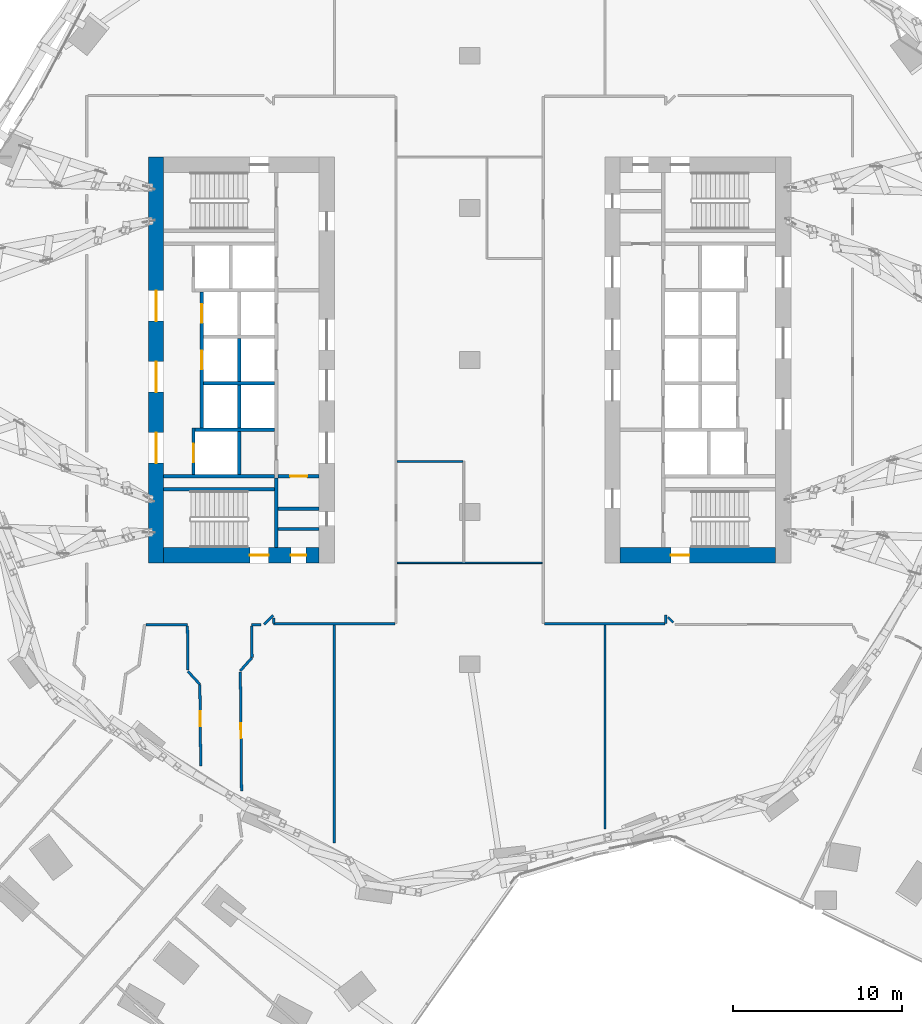
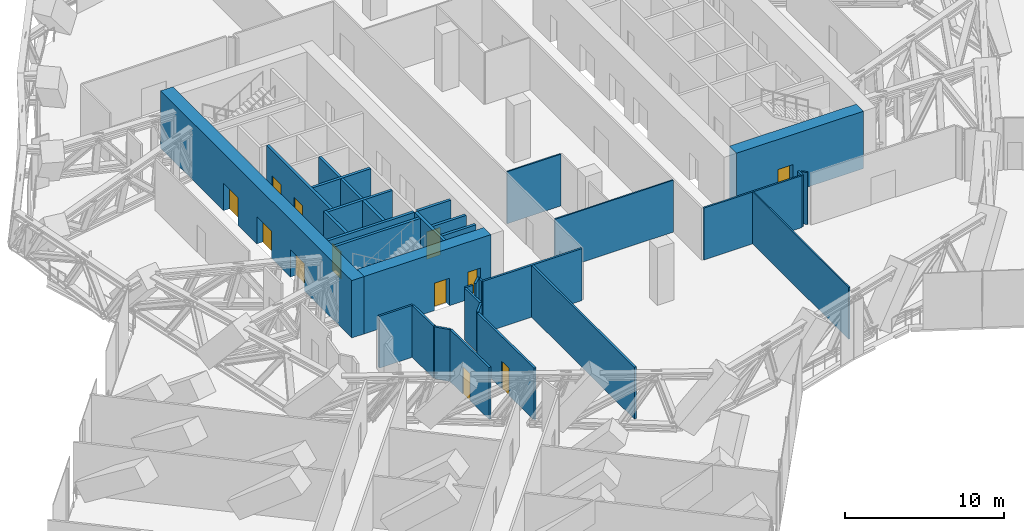
# One storey, part 25 of 34: 34 walls, 12 doors, 12 openings.
"""IFC4 building model written with IfcOpenShell, lengths in metres."""

import ifcopenshell
import ifcopenshell.guid

model = None  # the IFC model being written
_history = None  # IfcOwnerHistory: only IFC2X3 demands one
_inside = {}  # id of a spatial element -> (the spatial element, [elements in it])
_under = {}  # id of a project, library or spatial element -> (it, [spatial elements below it])
_declared = {}  # id of a project -> (the project, [libraries it declares])
_typed = {}  # id of a type object -> (the type object, [elements of that type])
_made_of = {}  # id of a material, layer set ... -> (it, [elements and type objects made of it])


def new_model(schema):
    """Start an empty IFC model of exactly this schema.

    Asked for "IFC4X3", IfcOpenShell would pick the latest addendum, in which some entities
    have other attributes; the version numbers below select the first issue.
    IFC2X3 requires an IfcOwnerHistory on every rooted entity: one is made here for all.
    """
    global model, _history
    if schema == "IFC4X3":
        model = ifcopenshell.file(schema_version=(4, 3, 0, 0))
    else:
        model = ifcopenshell.file(schema=schema)
    _inside.clear()
    _under.clear()
    _declared.clear()
    _typed.clear()
    _made_of.clear()
    _history = None
    if model.schema == "IFC2X3":
        org = make("IfcOrganization", Name="unknown")
        user = make(
            "IfcPersonAndOrganization",
            ThePerson=make("IfcPerson", FamilyName="unknown"),
            TheOrganization=org,
        )
        app = make(
            "IfcApplication",
            ApplicationDeveloper=org,
            Version="unknown",
            ApplicationFullName="unknown",
            ApplicationIdentifier="unknown",
        )
        _history = make(
            "IfcOwnerHistory",
            OwningUser=user,
            OwningApplication=app,
            ChangeAction="ADDED",
            CreationDate=0,
        )
    return model


def make(cls, **values):
    """One entity of the class cls with the attributes given. An attribute that is None is left unset."""
    return model.create_entity(
        cls, **{name: value for name, value in values.items() if value is not None}
    )


def rooted(cls, **values):
    """An entity with a GlobalId (a new one), such as an element, a storey or a relation."""
    return make(cls, GlobalId=ifcopenshell.guid.new(), OwnerHistory=_history, **values)


def si_unit(unit_type, name, prefix=None):
    """IfcSIUnit, for example si_unit("LENGTHUNIT", "METRE", prefix="MILLI")."""
    return make("IfcSIUnit", UnitType=unit_type, Prefix=prefix, Name=name)


def assignment(units):
    """IfcUnitAssignment: the units of a project."""
    return None if units is None else make("IfcUnitAssignment", Units=units)


def point(xyz):
    """IfcCartesianPoint."""
    return None if xyz is None else make("IfcCartesianPoint", Coordinates=xyz)


def direction(xyz):
    """IfcDirection."""
    return None if xyz is None else make("IfcDirection", DirectionRatios=xyz)


def frame(location, z_axis=None, x_axis=None):
    """IfcAxis2Placement3D, a coordinate frame: its origin and axes. An axis left out is left unset."""
    return make(
        "IfcAxis2Placement3D",
        Location=point(location),
        Axis=direction(z_axis),
        RefDirection=direction(x_axis),
    )


def frame_2d(location, x_axis=None):
    """IfcAxis2Placement2D, a coordinate frame in the plane: its origin and x axis."""
    return make(
        "IfcAxis2Placement2D", Location=point(location), RefDirection=direction(x_axis)
    )


def origin():
    """The frame at (0, 0, 0) with its axes left unset."""
    return frame((0.0, 0.0, 0.0))


def place(relative_to, where):
    """IfcLocalPlacement: puts the frame where relative to a parent placement (None: the world)."""
    return make(
        "IfcLocalPlacement", PlacementRelTo=relative_to, RelativePlacement=where
    )


def context(
    kind, dimensions, precision=None, world=None, true_north=None, identifier=None
):
    """IfcGeometricRepresentationContext, for example the 3D "Model" context."""
    return make(
        "IfcGeometricRepresentationContext",
        ContextIdentifier=identifier,
        ContextType=kind,
        CoordinateSpaceDimension=dimensions,
        Precision=precision,
        WorldCoordinateSystem=world,
        TrueNorth=true_north,
    )


def subcontext(parent, identifier, kind, view, scale=None):
    """IfcGeometricRepresentationSubContext, for example "Body" below "Model"."""
    return make(
        "IfcGeometricRepresentationSubContext",
        ContextIdentifier=identifier,
        ContextType=kind,
        ParentContext=parent,
        TargetScale=scale,
        TargetView=view,
    )


def project(units=None, contexts=None):
    """IfcProject with its units and contexts."""
    return rooted(
        "IfcProject",
        Name="project",
        RepresentationContexts=contexts,
        UnitsInContext=assignment(units),
    )


def spatial(cls, under=None, at=None, **own):
    """A site, building, storey or space (cls), placed at a placement, below another one or the project."""
    s = rooted(cls, ObjectPlacement=at, **own)
    if under is not None:
        _under.setdefault(under.id(), (under, []))[1].append(s)
    return s


def profile(cls, at=None, kind="AREA", **sizes):
    """A parametric profile (cls). Its sizes go by their IFC names, for example OverallWidth=200.0."""
    return make(cls, ProfileType=kind, Position=at, **sizes)


def rectangle(**sizes):
    """IfcRectangleProfileDef."""
    return profile("IfcRectangleProfileDef", **sizes)


def extrude(swept, where, along, depth):
    """IfcExtrudedAreaSolid: the profile swept, set in the frame where, extruded along a direction by depth."""
    return make(
        "IfcExtrudedAreaSolid",
        SweptArea=swept,
        Position=where,
        ExtrudedDirection=direction(along),
        Depth=depth,
    )


def shape(context_of_items, identifier, shape_type, items):
    """IfcShapeRepresentation: the items that make up one representation, for example the "Body"."""
    return make(
        "IfcShapeRepresentation",
        ContextOfItems=context_of_items,
        RepresentationIdentifier=identifier,
        RepresentationType=shape_type,
        Items=items,
    )


def material(Name=None, Category=None):
    """IfcMaterial."""
    return make("IfcMaterial", Name=Name, Category=Category)


def layer(
    of_material, thickness, ventilated=None, Name=None, Category=None, Priority=None
):
    """IfcMaterialLayer: one layer of a wall or slab, of a material (None: an air gap)."""
    return make(
        "IfcMaterialLayer",
        Material=of_material,
        LayerThickness=thickness,
        IsVentilated=ventilated,
        Name=Name,
        Category=Category,
        Priority=Priority,
    )


def layer_set(layers, Name=None):
    """IfcMaterialLayerSet."""
    return make("IfcMaterialLayerSet", MaterialLayers=layers, LayerSetName=Name)


def made_of(thing, what):
    """Note that an element or type object is made of a material, layer set ...; save() writes the relation."""
    if what is not None:
        _made_of.setdefault(what.id(), (what, []))[1].append(thing)
    return thing


def type_object(cls, material=None, **own):
    """A type object (cls), such as IfcWallType, which elements share."""
    return made_of(rooted(cls, **own), material)


def element(
    cls,
    number,
    at=None,
    inside=None,
    cuts=None,
    type_object=None,
    material=None,
    context=None,
    identifier="Body",
    shape_type=None,
    held_by="IfcProductDefinitionShape",
    body=None,
    shapes=None,
    **own,
):
    """One element of the class cls, such as IfcWall. Its Tag is "e" and its number.

    at: its placement. inside: the storey or other place that contains it. cuts: it is an
    opening in that element (IfcRelVoidsElement). A single representation is given by context,
    identifier, shape_type and body (its items); several are given by shapes. held_by: the class
    of the entity that holds the representations. save() writes the other relations.
    """
    e = rooted(cls, Tag="e%d" % number, ObjectPlacement=at, **own)
    if body is not None:
        shapes = [shape(context, identifier, shape_type, body)]
    if shapes is not None:
        e.Representation = make(held_by, Representations=shapes)
    if inside is not None:
        _inside.setdefault(inside.id(), (inside, []))[1].append(e)
    if cuts is not None:
        rooted(
            "IfcRelVoidsElement", RelatingBuildingElement=cuts, RelatedOpeningElement=e
        )
    if type_object is not None:
        _typed.setdefault(type_object.id(), (type_object, []))[1].append(e)
    return made_of(e, material)


def fill(opening, filler):
    """IfcRelFillsElement: the door or window that sits in an opening."""
    return rooted(
        "IfcRelFillsElement",
        RelatingOpeningElement=opening,
        RelatedBuildingElement=filler,
    )


def aggregate(whole, parts):
    """IfcRelAggregates: a whole, such as a stair, and the parts it consists of."""
    return rooted("IfcRelAggregates", RelatingObject=whole, RelatedObjects=parts)


def save(model, path):
    """Write the relations noted so far, then the file.

    IfcRelAggregates (storeys below a building ...), IfcRelContainedInSpatialStructure (elements
    in a storey), IfcRelDefinesByType, IfcRelAssociatesMaterial and IfcRelDeclares: one each for
    every whole, place, type object, material and project.
    """
    for whole, parts in _under.values():
        aggregate(whole, parts)
    for where, things in _inside.values():
        rooted(
            "IfcRelContainedInSpatialStructure",
            RelatedElements=things,
            RelatingStructure=where,
        )
    for kind, things in _typed.values():
        rooted("IfcRelDefinesByType", RelatedObjects=things, RelatingType=kind)
    for what, things in _made_of.values():
        rooted("IfcRelAssociatesMaterial", RelatedObjects=things, RelatingMaterial=what)
    for by, libraries in _declared.values():
        rooted("IfcRelDeclares", RelatingContext=by, RelatedDefinitions=libraries)
    model.write(path)


model = new_model("IFC4")

# Units and contexts
model_context = context("Model", 3, precision=1e-05, world=origin(), true_north=direction((0.0, 1.0)))
body_context = subcontext(model_context, "Body", "Model", "MODEL_VIEW")
ifc_project = project(units=[si_unit("LENGTHUNIT", "METRE"), si_unit("AREAUNIT", "SQUARE_METRE"), si_unit("VOLUMEUNIT", "CUBIC_METRE"), si_unit("PLANEANGLEUNIT", "RADIAN"), si_unit("MASSUNIT", "GRAM", prefix="KILO")], contexts=[model_context])

# Site, building, storey
site_placement = place(None, origin())
site = spatial("IfcSite", under=ifc_project, at=site_placement, CompositionType="ELEMENT")
building_placement = place(site_placement, origin())
building = spatial("IfcBuilding", under=site, at=building_placement, Name="Orlundy Tower", CompositionType="ELEMENT")
storey_placement = place(building_placement, frame((0.0, 0.0, 76.300048828125)))
storey = spatial("IfcBuildingStorey", under=building, at=storey_placement, Name="L18", CompositionType="ELEMENT", Elevation=76.300048828125)

# Wall, openings, doors
ifc_material_1 = material(Name="Concrete C80/95", Category="concrete")
ifc_layer_1 = layer(ifc_material_1, 0.89990234375)
ifc_layer_set_1 = layer_set([ifc_layer_1], Name="CORE WALL 900 C80/95")
wall_type_1 = type_object("IfcWallType", Name="CORE WALL 900 C80/95", PredefinedType="SHEAR", material=ifc_layer_set_1)
wall_1_placement = place(storey_placement, frame((-18.10009765625, -11.550048828125, 0.0), z_axis=(0.0, 0.0, 1.0), x_axis=(1.0, 0.0, 0.0)))
wall_1 = element("IfcWall", 1, at=wall_1_placement, inside=storey, type_object=wall_type_1, Name="Core wall W-S L18", PredefinedType="SHEAR", context=body_context, shape_type="SweptSolid", body=[
    extrude(rectangle(XDim=9.2001953125, YDim=0.89990234375, at=frame_2d((4.60009765625, 0.0))), origin(), (0.0, 0.0, 1.0), 4.39990234375),
])
opening_1_placement = place(wall_1_placement, frame((5.10009765625, 0.0, 0.0)))
opening_1 = element("IfcOpeningElement", 2, at=opening_1_placement, cuts=wall_1, Name="Opening 15017", PredefinedType="OPENING", context=body_context, shape_type="SweptSolid", body=[
    extrude(rectangle(XDim=1.10009765625, YDim=2.10009765625, at=frame_2d((0.550048828125, 1.050048828125))), frame((0.0, 0.4599609375, 0.0), z_axis=(0.0, -1.0, 0.0), x_axis=(1.0, 0.0, 0.0)), (0.0, 0.0, 1.0), 0.919921875),
])
opening_2_placement = place(wall_1_placement, frame((7.530029296875, 0.0, 0.0)))
opening_2 = element("IfcOpeningElement", 3, at=opening_2_placement, cuts=wall_1, Name="Opening 15019", PredefinedType="OPENING", context=body_context, shape_type="SweptSolid", body=[
    extrude(rectangle(XDim=0.89990234375, YDim=2.10009765625, at=frame_2d((0.449951171875, 1.050048828125))), frame((0.0, 0.4599609375, 0.0), z_axis=(0.0, -1.0, 0.0), x_axis=(1.0, 0.0, 0.0)), (0.0, 0.0, 1.0), 0.919921875),
])
ifc_material_2 = material(Name="Timber door set", Category="wood")
door_type_1 = type_object("IfcDoorType", Name="Room Door 900x2100", OperationType="SINGLE_SWING_LEFT", PredefinedType="DOOR", material=ifc_material_2)
door_1_placement = place(opening_2_placement, origin())
door_1 = element("IfcDoor", 4, at=door_1_placement, inside=storey, type_object=door_type_1, Name="Store door 15019", OperationType="SINGLE_SWING_RIGHT", OverallHeight=2.10009765625, OverallWidth=0.89990234375, PredefinedType="DOOR", context=body_context, shape_type="SweptSolid", body=[
    extrude(rectangle(XDim=0.89990234375, YDim=2.10009765625, at=frame_2d((0.449951171875, 1.050048828125))), frame((0.0, 0.02490234375, 0.0), z_axis=(0.0, -1.0, 0.0), x_axis=(1.0, 0.0, 0.0)), (0.0, 0.0, 1.0), 0.050048828125),
])
fill(opening_2, door_1)
ifc_material_3 = material(Name="Steel door set", Category="steel")
door_type_2 = type_object("IfcDoorType", Name="Stair Door 1100x2100", OperationType="SINGLE_SWING_LEFT", PredefinedType="DOOR", material=ifc_material_3)
door_2_placement = place(opening_1_placement, origin())
door_2 = element("IfcDoor", 5, at=door_2_placement, inside=storey, type_object=door_type_2, Name="Stair door 15017", OperationType="SINGLE_SWING_RIGHT", OverallHeight=2.10009765625, OverallWidth=1.10009765625, PredefinedType="DOOR", context=body_context, shape_type="SweptSolid", body=[
    extrude(rectangle(XDim=1.10009765625, YDim=2.10009765625, at=frame_2d((0.550048828125, 1.050048828125))), frame((0.0, 0.02490234375, 0.0), z_axis=(0.0, -1.0, 0.0), x_axis=(1.0, 0.0, 0.0)), (0.0, 0.0, 1.0), 0.050048828125),
])
fill(opening_1, door_2)

wall_2_placement = place(storey_placement, frame((-18.550048828125, -12.0, 0.0), z_axis=(0.0, 0.0, 1.0), x_axis=(0.0, 1.0, 0.0)))
wall_2 = element("IfcWall", 6, at=wall_2_placement, inside=storey, type_object=wall_type_1, Name="Core wall W-W L18", PredefinedType="SHEAR", context=body_context, shape_type="SweptSolid", body=[
    extrude(rectangle(XDim=24.0, YDim=0.89990234375, at=frame_2d((12.0, 0.0))), origin(), (0.0, 0.0, 1.0), 4.39990234375),
])
opening_3_placement = place(wall_2_placement, frame((5.89990234375, 0.0, 0.0)))
opening_3 = element("IfcOpeningElement", 7, at=opening_3_placement, cuts=wall_2, Name="Opening 15010", PredefinedType="OPENING", context=body_context, shape_type="SweptSolid", body=[
    extrude(rectangle(XDim=1.800048828125, YDim=2.10009765625, at=frame_2d((0.89990234375, 1.050048828125))), frame((0.0, 0.4599609375, 0.0), z_axis=(0.0, -1.0, 0.0), x_axis=(1.0, 0.0, 0.0)), (0.0, 0.0, 1.0), 0.919921875),
])
opening_4_placement = place(wall_2_placement, frame((10.10009765625, 0.0, 0.0)))
opening_4 = element("IfcOpeningElement", 8, at=opening_4_placement, cuts=wall_2, Name="Opening 15011", PredefinedType="OPENING", context=body_context, shape_type="SweptSolid", body=[
    extrude(rectangle(XDim=1.800048828125, YDim=2.10009765625, at=frame_2d((0.89990234375, 1.050048828125))), frame((0.0, 0.4599609375, 0.0), z_axis=(0.0, -1.0, 0.0), x_axis=(1.0, 0.0, 0.0)), (0.0, 0.0, 1.0), 0.919921875),
])
opening_5_placement = place(wall_2_placement, frame((14.300048828125, 0.0, 0.0)))
opening_5 = element("IfcOpeningElement", 9, at=opening_5_placement, cuts=wall_2, Name="Opening 15012", PredefinedType="OPENING", context=body_context, shape_type="SweptSolid", body=[
    extrude(rectangle(XDim=1.800048828125, YDim=2.10009765625, at=frame_2d((0.89990234375, 1.050048828125))), frame((0.0, 0.4599609375, 0.0), z_axis=(0.0, -1.0, 0.0), x_axis=(1.0, 0.0, 0.0)), (0.0, 0.0, 1.0), 0.919921875),
])
ifc_material_4 = material(Name="Timber door set", Category="wood")
door_type_3 = type_object("IfcDoorType", Name="Lobby Door 1800x2100", OperationType="DOUBLE_DOOR_DOUBLE_SWING", PredefinedType="DOOR", material=ifc_material_4)
door_3_placement = place(opening_3_placement, origin())
door_3 = element("IfcDoor", 10, at=door_3_placement, inside=storey, type_object=door_type_3, Name="Lift lobby door 15010", OperationType="SINGLE_SWING_LEFT", OverallHeight=2.10009765625, OverallWidth=1.800048828125, PredefinedType="DOOR", context=body_context, shape_type="SweptSolid", body=[
    extrude(rectangle(XDim=1.800048828125, YDim=2.10009765625, at=frame_2d((0.89990234375, 1.050048828125))), frame((0.0, 0.02490234375, 0.0), z_axis=(0.0, -1.0, 0.0), x_axis=(1.0, 0.0, 0.0)), (0.0, 0.0, 1.0), 0.050048828125),
])
fill(opening_3, door_3)
door_4_placement = place(opening_4_placement, origin())
door_4 = element("IfcDoor", 11, at=door_4_placement, inside=storey, type_object=door_type_3, Name="Lift lobby door 15011", OperationType="SINGLE_SWING_LEFT", OverallHeight=2.10009765625, OverallWidth=1.800048828125, PredefinedType="DOOR", context=body_context, shape_type="SweptSolid", body=[
    extrude(rectangle(XDim=1.800048828125, YDim=2.10009765625, at=frame_2d((0.89990234375, 1.050048828125))), frame((0.0, 0.02490234375, 0.0), z_axis=(0.0, -1.0, 0.0), x_axis=(1.0, 0.0, 0.0)), (0.0, 0.0, 1.0), 0.050048828125),
])
fill(opening_4, door_4)
door_5_placement = place(opening_5_placement, origin())
door_5 = element("IfcDoor", 12, at=door_5_placement, inside=storey, type_object=door_type_3, Name="Lift lobby door 15012", OperationType="SINGLE_SWING_RIGHT", OverallHeight=2.10009765625, OverallWidth=1.800048828125, PredefinedType="DOOR", context=body_context, shape_type="SweptSolid", body=[
    extrude(rectangle(XDim=1.800048828125, YDim=2.10009765625, at=frame_2d((0.89990234375, 1.050048828125))), frame((0.0, 0.02490234375, 0.0), z_axis=(0.0, -1.0, 0.0), x_axis=(1.0, 0.0, 0.0)), (0.0, 0.0, 1.0), 0.050048828125),
])
fill(opening_5, door_5)

# Wall, opening, door
wall_3_placement = place(storey_placement, frame((8.89990234375, -11.550048828125, 0.0), z_axis=(0.0, 0.0, 1.0), x_axis=(1.0, 0.0, 0.0)))
wall_3 = element("IfcWall", 13, at=wall_3_placement, inside=storey, type_object=wall_type_1, Name="Core wall E-S L18", PredefinedType="SHEAR", context=body_context, shape_type="SweptSolid", body=[
    extrude(rectangle(XDim=9.2001953125, YDim=0.89990234375, at=frame_2d((4.60009765625, 0.0))), origin(), (0.0, 0.0, 1.0), 4.39990234375),
])
opening_6_placement = place(wall_3_placement, frame((3.0, 0.0, 0.0)))
opening_6 = element("IfcOpeningElement", 14, at=opening_6_placement, cuts=wall_3, Name="Opening 15065", PredefinedType="OPENING", context=body_context, shape_type="SweptSolid", body=[
    extrude(rectangle(XDim=1.10009765625, YDim=2.10009765625, at=frame_2d((0.550048828125, 1.050048828125))), frame((0.0, 0.4599609375, 0.0), z_axis=(0.0, -1.0, 0.0), x_axis=(1.0, 0.0, 0.0)), (0.0, 0.0, 1.0), 0.919921875),
])
door_6_placement = place(opening_6_placement, origin())
door_6 = element("IfcDoor", 15, at=door_6_placement, inside=storey, type_object=door_type_2, Name="Stair door 15065", OperationType="SINGLE_SWING_LEFT", OverallHeight=2.10009765625, OverallWidth=1.10009765625, PredefinedType="DOOR", context=body_context, shape_type="SweptSolid", body=[
    extrude(rectangle(XDim=1.10009765625, YDim=2.10009765625, at=frame_2d((0.550048828125, 1.050048828125))), frame((0.0, 0.02490234375, 0.0), z_axis=(0.0, -1.0, 0.0), x_axis=(1.0, 0.0, 0.0)), (0.0, 0.0, 1.0), 0.050048828125),
])
fill(opening_6, door_6)

# Walls
ifc_material_5 = material(Name="Gypsum board partition")
ifc_layer_2 = layer(ifc_material_5, 0.10009765625)
ifc_layer_set_2 = layer_set([ifc_layer_2], Name="Floor partition 100")
wall_type_2 = type_object("IfcWallType", Name="Floor partition 100", PredefinedType="PARTITIONING", material=ifc_layer_set_2)
wall_4_placement = place(storey_placement, frame((-4.287109375, -12.0, 0.0), z_axis=(0.0, 0.0, 1.0), x_axis=(1.0, 0.0, 0.0)))
element("IfcWall", 16, at=wall_4_placement, inside=storey, type_object=wall_type_2, Name="wall-int-L18-043", PredefinedType="PARTITIONING", context=body_context, shape_type="SweptSolid", body=[
    extrude(rectangle(XDim=8.57421875, YDim=0.10009765625, at=frame_2d((4.287109375, 0.0))), origin(), (0.0, 0.0, 1.0), 3.97998046875),
])
wall_5_placement = place(storey_placement, frame((-4.287109375, -5.9990234375, 0.0), z_axis=(0.0, 0.0, 1.0), x_axis=(1.0, 0.0, 0.0)))
element("IfcWall", 17, at=wall_5_placement, inside=storey, type_object=wall_type_2, Name="wall-int-L18-044", PredefinedType="PARTITIONING", context=body_context, shape_type="SweptSolid", body=[
    extrude(rectangle(XDim=3.88623046875, YDim=0.10009765625, at=frame_2d((1.943115234375, 0.0))), origin(), (0.0, 0.0, 1.0), 3.97998046875),
])
wall_6_placement = place(storey_placement, frame((8.0, -27.72900390625, 0.0), z_axis=(0.0, 0.0, 1.0), x_axis=(0.0, 1.0, 0.0)))
element("IfcWall", 18, at=wall_6_placement, inside=storey, type_object=wall_type_2, Name="wall-int-L18-087", PredefinedType="PARTITIONING", context=body_context, shape_type="SweptSolid", body=[
    extrude(rectangle(XDim=12.06689453125, YDim=0.10009765625, at=frame_2d((6.033447265625, 0.0))), origin(), (0.0, 0.0, 1.0), 3.97998046875),
])
ifc_material_6 = material(Name="Gypsum board partition, double layer")
ifc_layer_3 = layer(ifc_material_6, 0.125)
ifc_layer_set_3 = layer_set([ifc_layer_3], Name="Floor partition 125")
wall_type_3 = type_object("IfcWallType", Name="Floor partition 125", PredefinedType="PARTITIONING", material=ifc_layer_set_3)
wall_7_placement = place(storey_placement, frame((11.72900390625, -15.20703125, 0.0), z_axis=(0.0, 0.0, 1.0), x_axis=(0.707106781187, -0.707106781187, 0.0)))
element("IfcWall", 19, at=wall_7_placement, inside=storey, type_object=wall_type_3, Name="wall-int-L18-011", PredefinedType="PARTITIONING", context=body_context, shape_type="SweptSolid", body=[
    extrude(rectangle(XDim=0.4482421875, YDim=0.125, at=frame_2d((0.22412109375, 0.0))), origin(), (0.0, 0.0, 1.0), 3.97998046875),
])
wall_8_placement = place(storey_placement, frame((4.412109375, -15.60009765625, 0.0), z_axis=(0.0, 0.0, 1.0), x_axis=(1.0, 0.0, 0.0)))
element("IfcWall", 20, at=wall_8_placement, inside=storey, type_object=wall_type_3, Name="wall-int-L18-042", PredefinedType="PARTITIONING", context=body_context, shape_type="SweptSolid", body=[
    extrude(rectangle(XDim=7.126953125, YDim=0.125, at=frame_2d((3.5634765625, 0.0))), origin(), (0.0, 0.0, 1.0), 3.97998046875),
])
wall_9_placement = place(storey_placement, frame((11.60107421875, -15.60009765625, 0.0), z_axis=(0.0, 0.0, 1.0), x_axis=(0.0, 1.0, 0.0)))
element("IfcWall", 21, at=wall_9_placement, inside=storey, type_object=wall_type_3, Name="wall-int-L18-085", PredefinedType="PARTITIONING", context=body_context, shape_type="SweptSolid", body=[
    extrude(rectangle(XDim=0.508056640625, YDim=0.125, at=frame_2d((0.25390625, 0.0))), origin(), (0.0, 0.0, 1.0), 3.97998046875),
])
ifc_material_7 = material(Name="Blockwork shaft wall", Category="masonry")
ifc_layer_4 = layer(ifc_material_7, 0.14990234375)
ifc_layer_set_4 = layer_set([ifc_layer_4], Name="Floor shaft wall 150")
wall_type_4 = type_object("IfcWallType", Name="Floor shaft wall 150", PredefinedType="PARTITIONING", material=ifc_layer_set_4)
wall_10_placement = place(storey_placement, frame((-11.60107421875, -15.27294921875, 0.0), z_axis=(0.0, 0.0, 1.0), x_axis=(0.002985061327, -0.999995544695, 0.0)))
element("IfcWall", 22, at=wall_10_placement, inside=storey, type_object=wall_type_4, Name="wall-int-L18-001", PredefinedType="PARTITIONING", context=body_context, shape_type="SweptSolid", body=[
    extrude(rectangle(XDim=0.3271484375, YDim=0.14990234375, at=frame_2d((0.16357421875, 0.0))), origin(), (0.0, 0.0, 1.0), 3.97998046875),
])
wall_11_placement = place(storey_placement, frame((-16.696044921875, -15.72607421875, 0.0), z_axis=(0.0, 0.0, 1.0), x_axis=(0.009978054026, -0.99995021798, 0.0)))
element("IfcWall", 23, at=wall_11_placement, inside=storey, type_object=wall_type_4, Name="wall-int-L18-002", PredefinedType="PARTITIONING", context=body_context, shape_type="SweptSolid", body=[
    extrude(rectangle(XDim=2.6181640625, YDim=0.14990234375, at=frame_2d((1.30908203125, 0.0))), origin(), (0.0, 0.0, 1.0), 3.97998046875),
])

# Wall, opening, door
wall_12_placement = place(storey_placement, frame((-15.910888671875, -24.028076171875, 0.0), z_axis=(0.0, 0.0, 1.0), x_axis=(-0.010337840811, 0.999946563096, 0.0)))
wall_12 = element("IfcWall", 24, at=wall_12_placement, inside=storey, type_object=wall_type_4, Name="wall-int-L18-003", PredefinedType="PARTITIONING", context=body_context, shape_type="SweptSolid", body=[
    extrude(rectangle(XDim=4.84130859375, YDim=0.14990234375, at=frame_2d((2.420654296875, 0.0))), origin(), (0.0, 0.0, 1.0), 3.97998046875),
])
opening_7_placement = place(wall_12_placement, frame((2.35009765625, 0.0, 0.0)))
opening_7 = element("IfcOpeningElement", 25, at=opening_7_placement, cuts=wall_12, Name="Opening 15120", PredefinedType="OPENING", context=body_context, shape_type="SweptSolid", body=[
    extrude(rectangle(XDim=0.89990234375, YDim=2.10009765625, at=frame_2d((0.449951171875, 1.050048828125))), frame((0.0, 0.0849609375, 0.0), z_axis=(0.0, -1.0, 0.0), x_axis=(1.0, 0.0, 0.0)), (0.0, 0.0, 1.0), 0.169921875),
])
ifc_material_8 = material(Name="Timber door leaf", Category="wood")
door_type_4 = type_object("IfcDoorType", Name="Floor door single 900 FD60", OperationType="NOTDEFINED", PredefinedType="DOOR", material=ifc_material_8)
door_7_placement = place(opening_7_placement, origin())
door_7 = element("IfcDoor", 26, at=door_7_placement, inside=storey, type_object=door_type_4, Name="Door 15120", OperationType="SINGLE_SWING_RIGHT", OverallHeight=2.10009765625, OverallWidth=0.89990234375, PredefinedType="DOOR", context=body_context, shape_type="SweptSolid", body=[
    extrude(rectangle(XDim=0.89990234375, YDim=2.10009765625, at=frame_2d((0.449951171875, 1.050048828125))), frame((0.0, 0.02490234375, 0.0), z_axis=(0.0, -1.0, 0.0), x_axis=(1.0, 0.0, 0.0)), (0.0, 0.0, 1.0), 0.050048828125),
])
fill(opening_7, door_7)

wall_13_placement = place(storey_placement, frame((-13.56689453125, -18.462890625, 0.0), z_axis=(0.0, 0.0, 1.0), x_axis=(0.010186228717, -0.999948119026, 0.0)))
wall_13 = element("IfcWall", 27, at=wall_13_placement, inside=storey, type_object=wall_type_4, Name="wall-int-L18-005", PredefinedType="PARTITIONING", context=body_context, shape_type="SweptSolid", body=[
    extrude(rectangle(XDim=7.04638671875, YDim=0.14990234375, at=frame_2d((3.523193359375, 0.0))), origin(), (0.0, 0.0, 1.0), 3.97998046875),
])
opening_8_placement = place(wall_13_placement, frame((3.02490234375, 0.0, 0.0)))
opening_8 = element("IfcOpeningElement", 28, at=opening_8_placement, cuts=wall_13, Name="Opening 15121", PredefinedType="OPENING", context=body_context, shape_type="SweptSolid", body=[
    extrude(rectangle(XDim=0.89990234375, YDim=2.10009765625, at=frame_2d((0.449951171875, 1.050048828125))), frame((0.0, 0.0849609375, 0.0), z_axis=(0.0, -1.0, 0.0), x_axis=(1.0, 0.0, 0.0)), (0.0, 0.0, 1.0), 0.169921875),
])
door_8_placement = place(opening_8_placement, origin())
door_8 = element("IfcDoor", 29, at=door_8_placement, inside=storey, type_object=door_type_4, Name="Door 15121", OperationType="SINGLE_SWING_LEFT", OverallHeight=2.10009765625, OverallWidth=0.89990234375, PredefinedType="DOOR", context=body_context, shape_type="SweptSolid", body=[
    extrude(rectangle(XDim=0.89990234375, YDim=2.10009765625, at=frame_2d((0.449951171875, 1.050048828125))), frame((0.0, 0.02490234375, 0.0), z_axis=(0.0, -1.0, 0.0), x_axis=(1.0, 0.0, 0.0)), (0.0, 0.0, 1.0), 0.050048828125),
])
fill(opening_8, door_8)

# Walls
wall_14_placement = place(storey_placement, frame((-12.89501953125, -15.72607421875, 0.0), z_axis=(0.0, 0.0, 1.0), x_axis=(0.01013461463, -0.999948643474, 0.0)))
element("IfcWall", 30, at=wall_14_placement, inside=storey, type_object=wall_type_4, Name="wall-int-L18-007", PredefinedType="PARTITIONING", context=body_context, shape_type="SweptSolid", body=[
    extrude(rectangle(XDim=1.87890625, YDim=0.14990234375, at=frame_2d((0.939453125, 0.0))), origin(), (0.0, 0.0, 1.0), 3.97998046875),
])
wall_15_placement = place(storey_placement, frame((-19.15087890625, -15.65087890625, 0.0), z_axis=(0.0, 0.0, 1.0), x_axis=(1.0, 0.0, 0.0)))
element("IfcWall", 31, at=wall_15_placement, inside=storey, type_object=wall_type_4, Name="wall-int-L18-038", PredefinedType="PARTITIONING", context=body_context, shape_type="SweptSolid", body=[
    extrude(rectangle(XDim=2.453857421875, YDim=0.14990234375, at=frame_2d((1.22705078125, 0.0))), origin(), (0.0, 0.0, 1.0), 3.97998046875),
])
wall_16_placement = place(storey_placement, frame((-12.89599609375, -15.65087890625, 0.0), z_axis=(0.0, 0.0, 1.0), x_axis=(1.0, 0.0, 0.0)))
element("IfcWall", 32, at=wall_16_placement, inside=storey, type_object=wall_type_4, Name="wall-int-L18-039", PredefinedType="PARTITIONING", context=body_context, shape_type="SweptSolid", body=[
    extrude(rectangle(XDim=0.554931640625, YDim=0.14990234375, at=frame_2d((0.27734375, 0.0))), origin(), (0.0, 0.0, 1.0), 3.97998046875),
])
wall_17_placement = place(storey_placement, frame((-11.60009765625, -15.60009765625, 0.0), z_axis=(0.0, 0.0, 1.0), x_axis=(1.0, 0.0, 0.0)))
element("IfcWall", 33, at=wall_17_placement, inside=storey, type_object=wall_type_4, Name="wall-int-L18-041", PredefinedType="PARTITIONING", context=body_context, shape_type="SweptSolid", body=[
    extrude(rectangle(XDim=7.18798828125, YDim=0.14990234375, at=frame_2d((3.593994140625, 0.0))), origin(), (0.0, 0.0, 1.0), 3.97998046875),
])
wall_18_placement = place(storey_placement, frame((-16.66796875, -18.419921875, 0.0), z_axis=(0.0, 0.0, 1.0), x_axis=(0.67773560354, -0.735305685885, 0.0)))
element("IfcWall", 34, at=wall_18_placement, inside=storey, type_object=wall_type_4, Name="wall-int-L18-052", PredefinedType="PARTITIONING", context=body_context, shape_type="SweptSolid", body=[
    extrude(rectangle(XDim=1.043212890625, YDim=0.14990234375, at=frame_2d((0.521484375, 0.0))), origin(), (0.0, 0.0, 1.0), 3.97998046875),
])
wall_19_placement = place(storey_placement, frame((-13.568115234375, -18.387939453125, 0.0), z_axis=(0.0, 0.0, 1.0), x_axis=(0.66231676266, 0.749223935749, 0.0)))
element("IfcWall", 35, at=wall_19_placement, inside=storey, type_object=wall_type_4, Name="wall-int-L18-053", PredefinedType="PARTITIONING", context=body_context, shape_type="SweptSolid", body=[
    extrude(rectangle(XDim=1.044921875, YDim=0.14990234375, at=frame_2d((0.5224609375, 0.0))), origin(), (0.0, 0.0, 1.0), 3.97998046875),
])
wall_20_placement = place(storey_placement, frame((-12.153076171875, -15.631103515625, 0.0), z_axis=(0.0, 0.0, 1.0), x_axis=(0.707106781187, 0.707106781187, 0.0)))
element("IfcWall", 36, at=wall_20_placement, inside=storey, type_object=wall_type_4, Name="wall-int-L18-058", PredefinedType="PARTITIONING", context=body_context, shape_type="SweptSolid", body=[
    extrude(rectangle(XDim=0.7509765625, YDim=0.14990234375, at=frame_2d((0.37548828125, 0.0))), origin(), (0.0, 0.0, 1.0), 3.97998046875),
])
wall_21_placement = place(storey_placement, frame((-8.0, -28.56298828125, 0.0), z_axis=(0.0, 0.0, 1.0), x_axis=(0.0, 1.0, 0.0)))
element("IfcWall", 37, at=wall_21_placement, inside=storey, type_object=wall_type_4, Name="wall-int-L18-093", PredefinedType="PARTITIONING", context=body_context, shape_type="SweptSolid", body=[
    extrude(rectangle(XDim=12.887939453125, YDim=0.14990234375, at=frame_2d((6.44384765625, 0.0))), origin(), (0.0, 0.0, 1.0), 3.97998046875),
])
ifc_material_9 = material(Name="Concrete C40/50", Category="concrete")
ifc_layer_5 = layer(ifc_material_9, 0.199951171875)
ifc_layer_set_5 = layer_set([ifc_layer_5], Name="Load-bearing Shaft Wall 200")
wall_type_5 = type_object("IfcWallType", Name="Load-bearing Shaft Wall 200", PredefinedType="SOLIDWALL", material=ifc_layer_set_5)
wall_22_placement = place(storey_placement, frame((-11.43994140625, -11.10009765625, 0.0), z_axis=(0.0, 0.0, 1.0), x_axis=(0.0, 1.0, 0.0)))
element("IfcWall", 38, at=wall_22_placement, inside=storey, type_object=wall_type_5, Name="Shaft wall W15-stair-end-s", PredefinedType="SOLIDWALL", context=body_context, shape_type="SweptSolid", body=[
    extrude(rectangle(XDim=4.125, YDim=0.199951171875, at=frame_2d((2.0625, 0.0))), origin(), (0.0, 0.0, 1.0), 3.989990234375),
])
wall_23_placement = place(storey_placement, frame((-11.5400390625, -7.64990234375, 0.0), z_axis=(0.0, 0.0, 1.0), x_axis=(-1.0, 0.0, 0.0)))
element("IfcWall", 39, at=wall_23_placement, inside=storey, type_object=wall_type_5, Name="Shaft wall W15-stair-side-s", PredefinedType="SOLIDWALL", context=body_context, shape_type="SweptSolid", body=[
    extrude(rectangle(XDim=6.56005859375, YDim=0.199951171875, at=frame_2d((3.280029296875, 0.0))), origin(), (0.0, 0.0, 1.0), 3.989990234375),
])

# Wall, opening, door
ifc_material_10 = material(Name="Gypsum board partition on steel studs", Category="steel")
ifc_layer_6 = layer(ifc_material_10, 0.199951171875)
ifc_layer_set_6 = layer_set([ifc_layer_6], Name="Partition 200")
wall_type_6 = type_object("IfcWallType", Name="Partition 200", PredefinedType="PARTITIONING", material=ifc_layer_set_6)
wall_24_placement = place(storey_placement, frame((-8.89990234375, -6.875, 0.0), z_axis=(0.0, 0.0, 1.0), x_axis=(-1.0, 0.0, 0.0)))
wall_24 = element("IfcWall", 40, at=wall_24_placement, inside=storey, type_object=wall_type_6, Name="Partition wall W15-end-s", PredefinedType="PARTITIONING", context=body_context, shape_type="SweptSolid", body=[
    extrude(rectangle(XDim=2.440185546875, YDim=0.199951171875, at=frame_2d((1.22021484375, 0.0))), origin(), (0.0, 0.0, 1.0), 3.989990234375),
])
opening_9_placement = place(wall_24_placement, frame((0.719970703125, 0.0, 0.0)))
opening_9 = element("IfcOpeningElement", 41, at=opening_9_placement, cuts=wall_24, Name="Opening 15021", PredefinedType="OPENING", context=body_context, shape_type="SweptSolid", body=[
    extrude(rectangle(XDim=1.0, YDim=2.10009765625, at=frame_2d((0.5, 1.050048828125))), frame((0.0, 0.110107421875, 0.0), z_axis=(0.0, -1.0, 0.0), x_axis=(1.0, 0.0, 0.0)), (0.0, 0.0, 1.0), 0.22021484375),
])
ifc_material_11 = material(Name="Timber door set", Category="wood")
door_type_5 = type_object("IfcDoorType", Name="Accessible Door 1000x2100", OperationType="SINGLE_SWING_LEFT", PredefinedType="DOOR", material=ifc_material_11)
door_9_placement = place(opening_9_placement, origin())
door_9 = element("IfcDoor", 42, at=door_9_placement, inside=storey, type_object=door_type_5, Name="Accessible WC door 15021", OperationType="SINGLE_SWING_RIGHT", OverallHeight=2.10009765625, OverallWidth=1.0, PredefinedType="DOOR", context=body_context, shape_type="SweptSolid", body=[
    extrude(rectangle(XDim=1.0, YDim=2.10009765625, at=frame_2d((0.5, 1.050048828125))), frame((0.0, 0.02490234375, 0.0), z_axis=(0.0, -1.0, 0.0), x_axis=(1.0, 0.0, 0.0)), (0.0, 0.0, 1.0), 0.050048828125),
])
fill(opening_9, door_9)

# Walls
for number, where, z_axis, x_axis, name in (
    (43, (-8.89990234375, -10.0, 0.0), (0.0, 0.0, 1.0), (-1.0, 0.0, 0.0), "Partition wall W15-room-s0"),
    (44, (-8.89990234375, -8.800048828125, 0.0), (0.0, 0.0, 1.0), (-1.0, 0.0, 0.0), "Partition wall W15-room-s1"),
):
    element("IfcWall", number, at=place(storey_placement, frame(where, z_axis=z_axis, x_axis=x_axis)), inside=storey, type_object=wall_type_6, Name=name, PredefinedType="PARTITIONING", context=body_context, shape_type="SweptSolid", body=[
        extrude(rectangle(XDim=2.440185546875, YDim=0.199951171875, at=frame_2d((1.22021484375, 0.0))), origin(), (0.0, 0.0, 1.0), 3.989990234375),
    ])
ifc_material_12 = material(Name="Fire-rated blockwork shaft wall", Category="masonry")
ifc_layer_7 = layer(ifc_material_12, 0.199951171875)
ifc_layer_set_7 = layer_set([ifc_layer_7], Name="Shaft Wall 200")
wall_type_7 = type_object("IfcWallType", Name="Shaft Wall 200", PredefinedType="SOLIDWALL", material=ifc_layer_set_7)
wall_25_placement = place(storey_placement, frame((-11.5400390625, -6.875, 0.0), z_axis=(0.0, 0.0, 1.0), x_axis=(-1.0, 0.0, 0.0)))
element("IfcWall", 45, at=wall_25_placement, inside=storey, type_object=wall_type_7, Name="Shaft wall W15-zone-s", PredefinedType="SOLIDWALL", context=body_context, shape_type="SweptSolid", body=[
    extrude(rectangle(XDim=6.56005859375, YDim=0.199951171875, at=frame_2d((3.280029296875, 0.0))), origin(), (0.0, 0.0, 1.0), 3.989990234375),
])
wall_26_placement = place(storey_placement, frame((-11.5400390625, -4.125, 0.0), z_axis=(0.0, 0.0, 1.0), x_axis=(-1.0, 0.0, 0.0)))
element("IfcWall", 46, at=wall_26_placement, inside=storey, type_object=wall_type_7, Name="Shaft wall W15-cross-4.125", PredefinedType="SOLIDWALL", context=body_context, shape_type="SweptSolid", body=[
    extrude(rectangle(XDim=4.699951171875, YDim=0.199951171875, at=frame_2d((2.35009765625, 0.0))), origin(), (0.0, 0.0, 1.0), 3.989990234375),
])
wall_27_placement = place(storey_placement, frame((-11.5400390625, -1.375, 0.0), z_axis=(0.0, 0.0, 1.0), x_axis=(-1.0, 0.0, 0.0)))
element("IfcWall", 47, at=wall_27_placement, inside=storey, type_object=wall_type_7, Name="Shaft wall W15-cross-1.375", PredefinedType="SOLIDWALL", context=body_context, shape_type="SweptSolid", body=[
    extrude(rectangle(XDim=4.199951171875, YDim=0.199951171875, at=frame_2d((2.10009765625, 0.0))), origin(), (0.0, 0.0, 1.0), 3.989990234375),
])
for number, where, z_axis, x_axis, name in (
    (48, (-13.639892578125, -6.77490234375, 0.0), (0.0, 0.0, 1.0), (0.0, 1.0, 0.0), "Shaft wall W15-mid-a"),
    (49, (-13.639892578125, -4.02490234375, 0.0), (0.0, 0.0, 1.0), (0.0, 1.0, 0.0), "Shaft wall W15-mid-a.1"),
    (50, (-13.639892578125, -1.27490234375, 0.0), (0.0, 0.0, 1.0), (0.0, 1.0, 0.0), "Shaft wall W15-mid-a.2"),
):
    element("IfcWall", number, at=place(storey_placement, frame(where, z_axis=z_axis, x_axis=x_axis)), inside=storey, type_object=wall_type_7, Name=name, PredefinedType="SOLIDWALL", context=body_context, shape_type="SweptSolid", body=[
        extrude(rectangle(XDim=2.5498046875, YDim=0.199951171875, at=frame_2d((1.27490234375, 0.0))), origin(), (0.0, 0.0, 1.0), 3.989990234375),
    ])

# Wall, opening, door
wall_28_placement = place(storey_placement, frame((-16.340087890625, -6.77490234375, 0.0), z_axis=(0.0, 0.0, 1.0), x_axis=(0.0, 1.0, 0.0)))
wall_28 = element("IfcWall", 51, at=wall_28_placement, inside=storey, type_object=wall_type_7, Name="Shaft wall W15-front-o-a", PredefinedType="SOLIDWALL", context=body_context, shape_type="SweptSolid", body=[
    extrude(rectangle(XDim=2.75, YDim=0.199951171875, at=frame_2d((1.375, 0.0))), origin(), (0.0, 0.0, 1.0), 3.989990234375),
])
opening_10_placement = place(wall_28_placement, frame((0.72509765625, 0.0, 0.0)))
opening_10 = element("IfcOpeningElement", 52, at=opening_10_placement, cuts=wall_28, Name="Opening 15001", PredefinedType="OPENING", context=body_context, shape_type="SweptSolid", body=[
    extrude(rectangle(XDim=1.10009765625, YDim=2.10009765625, at=frame_2d((0.550048828125, 1.050048828125))), frame((0.0, 0.110107421875, 0.0), z_axis=(0.0, -1.0, 0.0), x_axis=(1.0, 0.0, 0.0)), (0.0, 0.0, 1.0), 0.22021484375),
])
ifc_material_13 = material(Name="Steel door set", Category="steel")
door_type_6 = type_object("IfcDoorType", Name="Landing Door 1100x2100", OperationType="DOUBLE_DOOR_SLIDING", PredefinedType="DOOR", material=ifc_material_13)
door_10_placement = place(opening_10_placement, origin())
door_10 = element("IfcDoor", 53, at=door_10_placement, inside=storey, type_object=door_type_6, Name="Lift landing door LV-01 15001", OperationType="DOUBLE_DOOR_SLIDING", OverallHeight=2.10009765625, OverallWidth=1.10009765625, PredefinedType="DOOR", context=body_context, shape_type="SweptSolid", body=[
    extrude(rectangle(XDim=1.10009765625, YDim=2.10009765625, at=frame_2d((0.550048828125, 1.050048828125))), frame((0.0, 0.02490234375, 0.0), z_axis=(0.0, -1.0, 0.0), x_axis=(1.0, 0.0, 0.0)), (0.0, 0.0, 1.0), 0.050048828125),
])
fill(opening_10, door_10)

# Wall, openings, doors
wall_29_placement = place(storey_placement, frame((-15.840087890625, -4.02490234375, 0.0), z_axis=(0.0, 0.0, 1.0), x_axis=(0.0, 1.0, 0.0)))
wall_29 = element("IfcWall", 54, at=wall_29_placement, inside=storey, type_object=wall_type_7, Name="Shaft wall W15-front-o-b", PredefinedType="SOLIDWALL", context=body_context, shape_type="SweptSolid", body=[
    extrude(rectangle(XDim=8.0498046875, YDim=0.199951171875, at=frame_2d((4.02490234375, 0.0))), origin(), (0.0, 0.0, 1.0), 3.989990234375),
])
opening_11_placement = place(wall_29_placement, frame((3.47509765625, 0.0, 0.0)))
opening_11 = element("IfcOpeningElement", 55, at=opening_11_placement, cuts=wall_29, Name="Opening 15003", PredefinedType="OPENING", context=body_context, shape_type="SweptSolid", body=[
    extrude(rectangle(XDim=1.10009765625, YDim=2.10009765625, at=frame_2d((0.550048828125, 1.050048828125))), frame((0.0, 0.110107421875, 0.0), z_axis=(0.0, -1.0, 0.0), x_axis=(1.0, 0.0, 0.0)), (0.0, 0.0, 1.0), 0.22021484375),
])
opening_12_placement = place(wall_29_placement, frame((6.22509765625, 0.0, 0.0)))
opening_12 = element("IfcOpeningElement", 56, at=opening_12_placement, cuts=wall_29, Name="Opening 15005", PredefinedType="OPENING", context=body_context, shape_type="SweptSolid", body=[
    extrude(rectangle(XDim=1.10009765625, YDim=2.10009765625, at=frame_2d((0.550048828125, 1.050048828125))), frame((0.0, 0.110107421875, 0.0), z_axis=(0.0, -1.0, 0.0), x_axis=(1.0, 0.0, 0.0)), (0.0, 0.0, 1.0), 0.22021484375),
])
door_11_placement = place(opening_11_placement, origin())
door_11 = element("IfcDoor", 57, at=door_11_placement, inside=storey, type_object=door_type_6, Name="Lift landing door LP-01 15003", OperationType="DOUBLE_DOOR_SLIDING", OverallHeight=2.10009765625, OverallWidth=1.10009765625, PredefinedType="DOOR", context=body_context, shape_type="SweptSolid", body=[
    extrude(rectangle(XDim=1.10009765625, YDim=2.10009765625, at=frame_2d((0.550048828125, 1.050048828125))), frame((0.0, 0.02490234375, 0.0), z_axis=(0.0, -1.0, 0.0), x_axis=(1.0, 0.0, 0.0)), (0.0, 0.0, 1.0), 0.050048828125),
])
fill(opening_11, door_11)
door_12_placement = place(opening_12_placement, origin())
door_12 = element("IfcDoor", 58, at=door_12_placement, inside=storey, type_object=door_type_6, Name="Lift landing door LP-03 15005", OperationType="DOUBLE_DOOR_SLIDING", OverallHeight=2.10009765625, OverallWidth=1.10009765625, PredefinedType="DOOR", context=body_context, shape_type="SweptSolid", body=[
    extrude(rectangle(XDim=1.10009765625, YDim=2.10009765625, at=frame_2d((0.550048828125, 1.050048828125))), frame((0.0, 0.02490234375, 0.0), z_axis=(0.0, -1.0, 0.0), x_axis=(1.0, 0.0, 0.0)), (0.0, 0.0, 1.0), 0.050048828125),
])
fill(opening_12, door_12)

save(model, "model.ifc")
